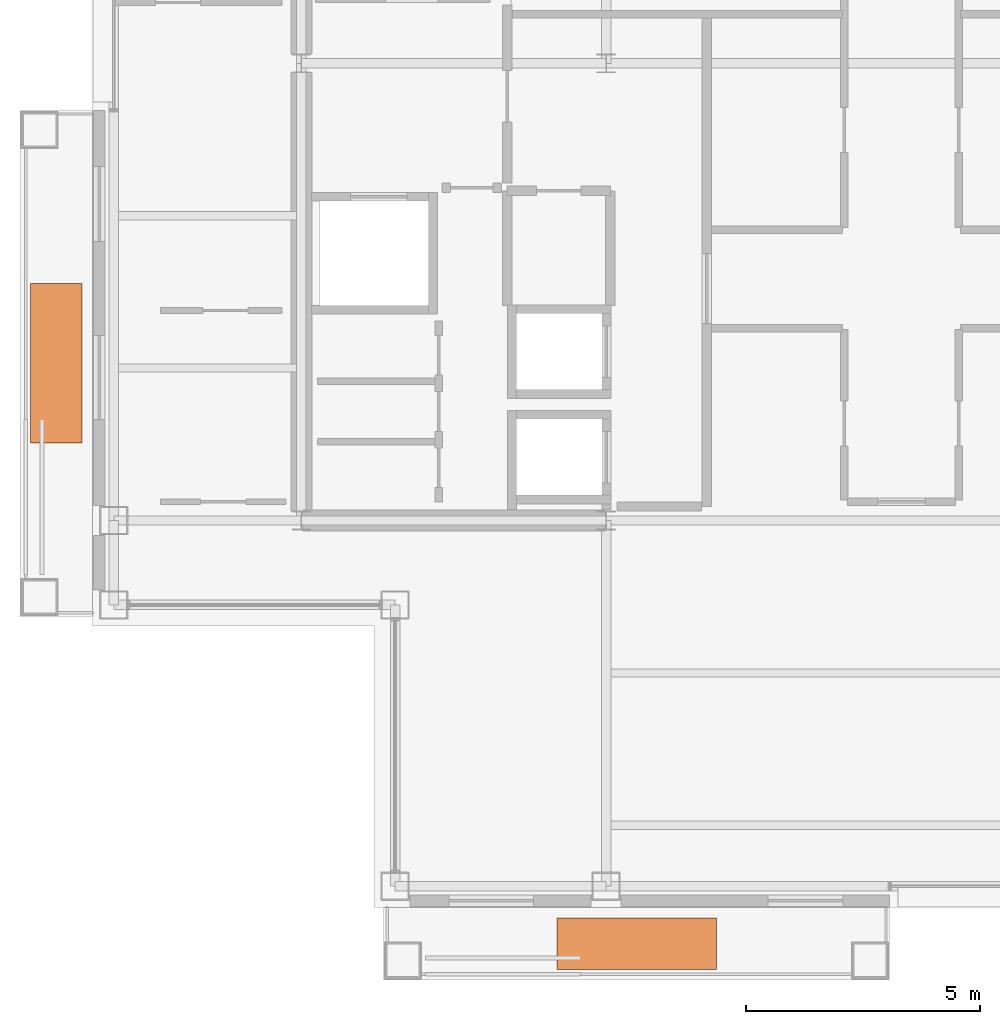
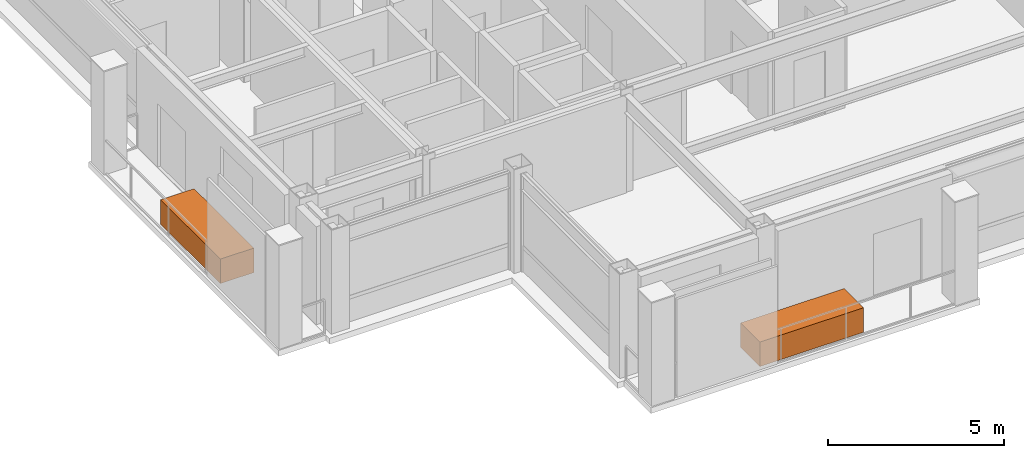
# One storey, part 24 of 24: 2 proxies.
"""IFC4 building model written with IfcOpenShell, lengths in metres."""

from ifc_helpers import new_model, si_unit, direction, frame, origin, origin_2d, place, context, subcontext, project, spatial, rectangle, extrude, material, type_object, element, save


model = new_model("IFC4")

# Units and contexts
model_context = context("Model", 3, precision=1e-05, world=origin(), true_north=direction((0.0, 1.0)))
body_context = subcontext(model_context, "Body", "Model", "MODEL_VIEW")
ifc_project = project(units=[si_unit("LENGTHUNIT", "METRE"), si_unit("AREAUNIT", "SQUARE_METRE"), si_unit("VOLUMEUNIT", "CUBIC_METRE"), si_unit("PLANEANGLEUNIT", "RADIAN"), si_unit("MASSUNIT", "GRAM", prefix="KILO")], contexts=[model_context])

# Site, building, storey
site_placement = place(None, origin())
site = spatial("IfcSite", under=ifc_project, at=site_placement, CompositionType="ELEMENT")
building_placement = place(site_placement, origin())
building = spatial("IfcBuilding", under=site, at=building_placement, Name="Brelmoor Portico Tower", CompositionType="ELEMENT")
storey_placement = place(building_placement, frame((0.0, 0.0, 261.60009765625)))
storey = spatial("IfcBuildingStorey", under=building, at=storey_placement, Name="L69", CompositionType="ELEMENT", Elevation=261.60009765625)

# Proxies
ifc_material = material(Name="Architectural Precast Concrete C40", Category="concrete")
building_element_proxy_type = type_object("IfcBuildingElementProxyType", Name="TREE PLANTER", PredefinedType="USERDEFINED", material=ifc_material)
for number, where, z_axis, x_axis, name in (
    (1, (-7.39990234375, -18.77490234375, -0.000244140625), (0.0, 0.0, 1.0), (1.0, 0.0, 0.0), "L69 Planted Tree Planter S"),
    (2, (-19.77490234375, -6.39990234375, -0.000244140625), (0.0, 0.0, 1.0), (0.0, 1.0, 0.0), "L69 Planted Tree Planter W"),
):
    element("IfcBuildingElementProxy", number, at=place(storey_placement, frame(where, z_axis=z_axis, x_axis=x_axis)), inside=storey, type_object=building_element_proxy_type, Name=name, ObjectType="PLANTER", PredefinedType="USERDEFINED", context=body_context, shape_type="SweptSolid", body=[
        extrude(rectangle(XDim=3.39990234375, YDim=1.10009765625, at=origin_2d()), origin(), (0.0, 0.0, 1.0), 0.85009765625),
    ])

save(model, "model.ifc")
